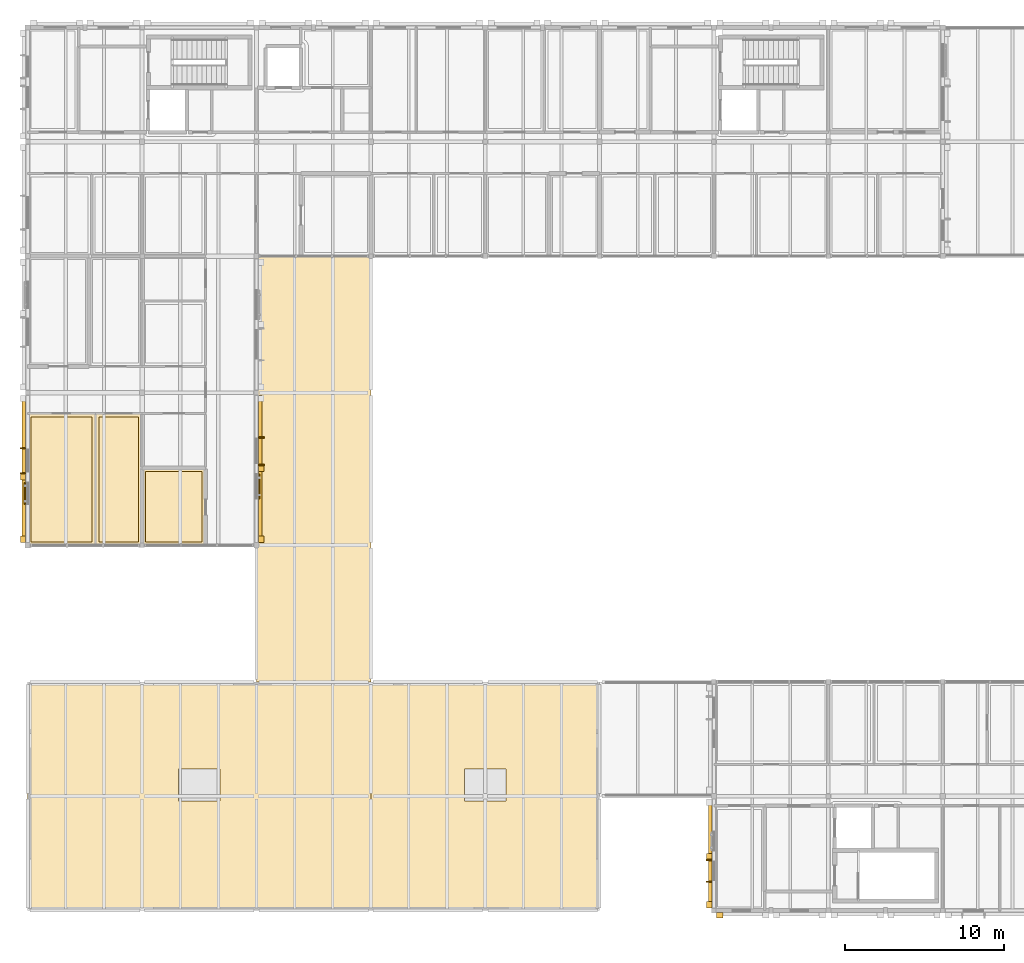
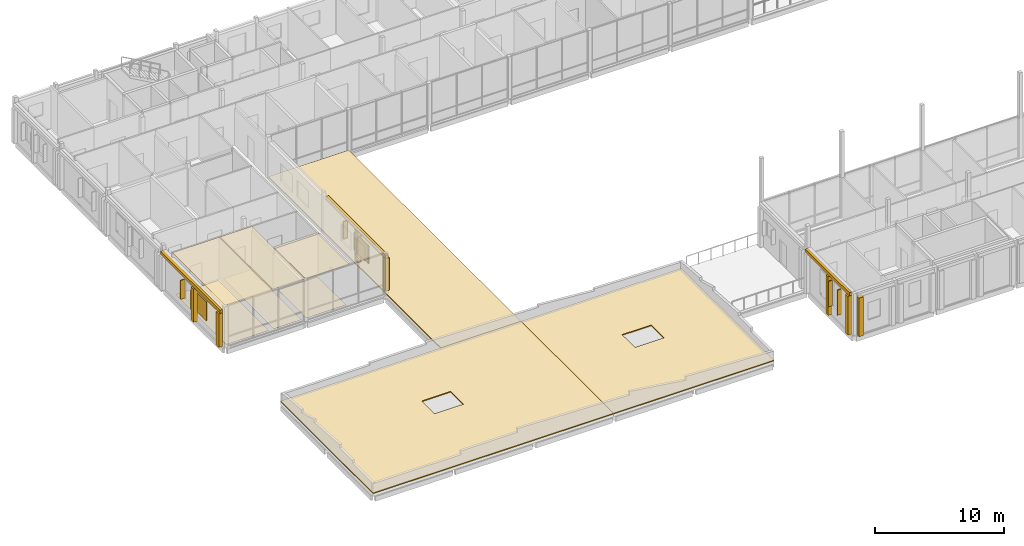
# One storey, part 50 of 57: 19 coverings, 8 shading devices.
"""IFC4 building model written with IfcOpenShell, lengths in metres."""

from ifc_helpers import new_model, si_unit, direction, frame, origin, origin_2d, place, context, subcontext, project, spatial, polyline, rectangle, outline, extrude, material, layer, layer_set, type_object, element, save


model = new_model("IFC4")

# Units and contexts
model_context = context("Model", 3, precision=1e-05, world=origin(), true_north=direction((0.0, 1.0)))
body_context = subcontext(model_context, "Body", "Model", "MODEL_VIEW")
ifc_project = project(units=[si_unit("LENGTHUNIT", "METRE"), si_unit("AREAUNIT", "SQUARE_METRE"), si_unit("VOLUMEUNIT", "CUBIC_METRE"), si_unit("PLANEANGLEUNIT", "RADIAN"), si_unit("MASSUNIT", "GRAM", prefix="KILO")], contexts=[model_context])

# Site, building, storey
site_placement = place(None, origin())
site = spatial("IfcSite", under=ifc_project, at=site_placement, CompositionType="ELEMENT")
building_placement = place(site_placement, origin())
building = spatial("IfcBuilding", under=site, at=building_placement, Name="Hawrajan Terrace Health Centre", CompositionType="ELEMENT")
storey_placement = place(building_placement, frame((0.0, 0.0, 13.199951171875)))
storey = spatial("IfcBuildingStorey", under=building, at=storey_placement, Name="L03", CompositionType="ELEMENT", Elevation=13.199951171875)

# Coverings
ifc_material_1 = material(Name="Precast concrete C40/50", Category="concrete")
ifc_layer_1 = layer(ifc_material_1, 0.219970703125)
ifc_layer_set_1 = layer_set([ifc_layer_1], Name="Precast concrete C40/50")
covering_type_1 = type_object("IfcCoveringType", Name="ArtDecoCorniceBand", PredefinedType="CLADDING", material=ifc_layer_set_1)
for number, where, z_axis, x_axis, name in (
    (1, (4.364990234375, 32.010009765625, 3.18017578125), (0.0, 0.0, 1.0), (0.0, 1.0, 0.0), "Art Deco limestone cornice band CRN-L03-0154"),
    (2, (19.235107421875, 32.010009765625, 3.18017578125), (0.0, 0.0, 1.0), (0.0, 1.0, 0.0), "Art Deco limestone cornice band CRN-L03-0160"),
):
    element("IfcCovering", number, at=place(storey_placement, frame(where, z_axis=z_axis, x_axis=x_axis)), inside=storey, type_object=covering_type_1, Name=name, PredefinedType="CLADDING", context=body_context, shape_type="SweptSolid", body=[
        extrude(rectangle(XDim=9.260009765625, YDim=0.219970703125, at=origin_2d()), origin(), (0.0, 0.0, 1.0), 0.300048828125),
    ])
covering_1_placement = place(storey_placement, frame((47.56494140625, 7.7900390625, 3.68994140625), z_axis=(0.0, 0.0, 1.0), x_axis=(0.0, 1.0, 0.0)))
element("IfcCovering", 3, at=covering_1_placement, inside=storey, type_object=covering_type_1, Name="Art Deco limestone cornice band CRN-L03-0171", PredefinedType="CLADDING", context=body_context, shape_type="SweptSolid", body=[
    extrude(rectangle(XDim=6.860107421875, YDim=0.219970703125, at=origin_2d()), origin(), (0.0, 0.0, 1.0), 0.300048828125),
])
ifc_layer_2 = layer(ifc_material_1, 0.340087890625)
ifc_layer_set_2 = layer_set([ifc_layer_2], Name="Precast concrete C40/50")
covering_type_2 = type_object("IfcCoveringType", Name="ArtDecoStonePilaster", PredefinedType="CLADDING", material=ifc_layer_set_2)
covering_2_placement = place(storey_placement, frame((4.304931640625, 27.580078125, 0.0), z_axis=(0.0, 0.0, 1.0), x_axis=(0.0, 1.0, 0.0)))
element("IfcCovering", 4, at=covering_2_placement, inside=storey, type_object=covering_type_2, Name="Art Deco fluted limestone pilaster FPIL-L03-0299", PredefinedType="CLADDING", context=body_context, shape_type="SweptSolid", body=[
    extrude(rectangle(XDim=0.39990234375, YDim=0.340087890625, at=origin_2d()), origin(), (0.0, 0.0, 1.0), 3.169921875),
])
covering_3_placement = place(storey_placement, frame((4.304931640625, 31.489990234375, 0.0), z_axis=(0.0, 0.0, 1.0), x_axis=(0.0, 1.0, 0.0)))
element("IfcCovering", 5, at=covering_3_placement, inside=storey, type_object=covering_type_2, Name="Art Deco mullion pilaster FPIL-L03-0301", PredefinedType="CLADDING", context=body_context, shape_type="SweptSolid", body=[
    extrude(rectangle(XDim=0.360107421875, YDim=0.340087890625, at=origin_2d()), origin(), (0.0, 0.0, 1.0), 3.169921875),
])
covering_4_placement = place(storey_placement, frame((19.294921875, 27.580078125, 0.0), z_axis=(0.0, 0.0, 1.0), x_axis=(0.0, 1.0, 0.0)))
element("IfcCovering", 6, at=covering_4_placement, inside=storey, type_object=covering_type_2, Name="Art Deco fluted limestone pilaster FPIL-L03-0314", PredefinedType="CLADDING", context=body_context, shape_type="SweptSolid", body=[
    extrude(rectangle(XDim=0.39990234375, YDim=0.340087890625, at=origin_2d()), origin(), (0.0, 0.0, 1.0), 3.169921875),
])
covering_5_placement = place(storey_placement, frame((19.294921875, 32.010009765625, 0.0), z_axis=(0.0, 0.0, 1.0), x_axis=(0.0, 1.0, 0.0)))
element("IfcCovering", 7, at=covering_5_placement, inside=storey, type_object=covering_type_2, Name="Art Deco mullion pilaster FPIL-L03-0316", PredefinedType="CLADDING", context=body_context, shape_type="SweptSolid", body=[
    extrude(rectangle(XDim=0.360107421875, YDim=0.340087890625, at=origin_2d()), origin(), (0.0, 0.0, 1.0), 3.169921875),
])
for number, where, z_axis, x_axis, name in (
    (8, (48.159912109375, 3.905029296875, 0.0), (0.0, 0.0, 1.0), (1.0, 0.0, 0.0), "Art Deco fluted limestone pilaster FPIL-L03-0334"),
    (9, (47.5048828125, 4.56005859375, 0.0), (0.0, 0.0, 1.0), (0.0, 1.0, 0.0), "Art Deco fluted limestone pilaster FPIL-L03-0338"),
):
    element("IfcCovering", number, at=place(storey_placement, frame(where, z_axis=z_axis, x_axis=x_axis)), inside=storey, type_object=covering_type_2, Name=name, PredefinedType="CLADDING", context=body_context, shape_type="SweptSolid", body=[
        extrude(rectangle(XDim=0.39990234375, YDim=0.340087890625, at=origin_2d()), origin(), (0.0, 0.0, 1.0), 3.679931640625),
    ])
covering_6_placement = place(storey_placement, frame((47.5048828125, 7.6298828125, 0.0), z_axis=(0.0, 0.0, 1.0), x_axis=(0.0, 1.0, 0.0)))
element("IfcCovering", 10, at=covering_6_placement, inside=storey, type_object=covering_type_2, Name="Art Deco mullion pilaster FPIL-L03-0340", PredefinedType="CLADDING", context=body_context, shape_type="SweptSolid", body=[
    extrude(rectangle(XDim=0.360107421875, YDim=0.340087890625, at=origin_2d()), origin(), (0.0, 0.0, 1.0), 3.679931640625),
])
ifc_material_2 = material(Name="Hygienic mineral-fibre acoustic tile ceiling")
ifc_layer_3 = layer(ifc_material_2, 0.02490234375)
ifc_layer_set_3 = layer_set([ifc_layer_3], Name="Hygienic mineral-fibre acoustic tile ceiling")
covering_type_3 = type_object("IfcCoveringType", Name="ClinicalAcousticCeiling_25", PredefinedType="CEILING", material=ifc_layer_set_3)
covering_7_placement = place(storey_placement, frame((0.0, 0.0, 3.905029296875)))
element("IfcCovering", 11, at=covering_7_placement, inside=storey, type_object=covering_type_3, Name="Suspended ceiling L03-028", PredefinedType="CEILING", context=body_context, shape_type="SweptSolid", body=[
    extrude(outline(polyline([(4.6201171875, 35.47998046875), (8.849609375, 35.47998046875), (8.849609375, 27.219970703125), (4.6201171875, 27.219970703125), (4.6201171875, 35.47998046875)])), origin(), (0.0, 0.0, 1.0), 0.02490234375),
])
covering_8_placement = place(storey_placement, frame((0.0, 0.0, 3.905029296875)))
element("IfcCovering", 12, at=covering_8_placement, inside=storey, type_object=covering_type_3, Name="Suspended ceiling L03-029", PredefinedType="CEILING", context=body_context, shape_type="SweptSolid", body=[
    extrude(outline(polyline([(8.8896484375, 35.47998046875), (11.780029296875, 35.47998046875), (11.780029296875, 27.219970703125), (8.8896484375, 27.219970703125), (8.8896484375, 35.47998046875)])), origin(), (0.0, 0.0, 1.0), 0.02490234375),
])
covering_9_placement = place(storey_placement, frame((0.0, 0.0, 3.905029296875)))
element("IfcCovering", 13, at=covering_9_placement, inside=storey, type_object=covering_type_3, Name="Suspended ceiling L03-035", PredefinedType="CEILING", context=body_context, shape_type="SweptSolid", body=[
    extrude(outline(polyline([(11.820068359375, 32.035400390625), (15.780029296875, 32.035400390625), (15.780029296875, 27.219970703125), (11.820068359375, 27.219970703125), (11.820068359375, 32.035400390625)])), origin(), (0.0, 0.0, 1.0), 0.02490234375),
])
ifc_material_3 = material(Name="Seamless medical-grade cushioned vinyl flooring")
ifc_layer_4 = layer(ifc_material_3, 0.011962890625)
ifc_layer_set_4 = layer_set([ifc_layer_4], Name="Seamless medical-grade cushioned vinyl flooring")
covering_type_4 = type_object("IfcCoveringType", Name="ClinicalVinylFlooring_12", PredefinedType="FLOORING", material=ifc_layer_set_4)
covering_10_placement = place(storey_placement, origin())
element("IfcCovering", 14, at=covering_10_placement, inside=storey, type_object=covering_type_4, Name="Floor finish L03-028", PredefinedType="FLOORING", context=body_context, shape_type="SweptSolid", body=[
    extrude(outline(polyline([(4.820068359375, 35.280029296875), (8.649658203125, 35.280029296875), (8.649658203125, 27.419921875), (4.820068359375, 27.419921875), (4.820068359375, 35.280029296875)])), origin(), (0.0, 0.0, 1.0), 0.011962890625),
])
covering_11_placement = place(storey_placement, origin())
element("IfcCovering", 15, at=covering_11_placement, inside=storey, type_object=covering_type_4, Name="Floor finish L03-029", PredefinedType="FLOORING", context=body_context, shape_type="SweptSolid", body=[
    extrude(outline(polyline([(9.089599609375, 35.280029296875), (11.580078125, 35.280029296875), (11.580078125, 27.419921875), (9.089599609375, 27.419921875), (9.089599609375, 35.280029296875)])), origin(), (0.0, 0.0, 1.0), 0.011962890625),
])
covering_12_placement = place(storey_placement, origin())
element("IfcCovering", 16, at=covering_12_placement, inside=storey, type_object=covering_type_4, Name="Floor finish L03-035", PredefinedType="FLOORING", context=body_context, shape_type="SweptSolid", body=[
    extrude(outline(polyline([(12.02001953125, 31.83544921875), (15.580078125, 31.83544921875), (15.580078125, 27.419921875), (12.02001953125, 27.419921875), (12.02001953125, 31.83544921875)])), origin(), (0.0, 0.0, 1.0), 0.011962890625),
])
ifc_material_4 = material(Name="Reflective TPO cool-roof membrane and mineral wool")
ifc_layer_5 = layer(ifc_material_4, 0.094970703125)
ifc_layer_set_5 = layer_set([ifc_layer_5], Name="Reflective TPO cool-roof membrane and mineral wool")
covering_type_5 = type_object("IfcCoveringType", Name="CoolMembrane_Roofing", PredefinedType="ROOFING", material=ifc_layer_set_5)
covering_13_placement = place(storey_placement, origin())
element("IfcCovering", 17, at=covering_13_placement, inside=storey, type_object=covering_type_5, Name="Reflective cool-roof membrane RF-V4-L03-WEST", PredefinedType="ROOFING", context=body_context, shape_type="SweptSolid", body=[
    extrude(outline(polyline([(4.60009765625, 4.199951171875), (26.199951171875, 4.199951171875), (26.199951171875, 18.60009765625), (4.60009765625, 18.60009765625), (4.60009765625, 4.199951171875)]), holes=[polyline([(14.10009765625, 11.10009765625), (16.699951171875, 11.10009765625), (16.699951171875, 13.10009765625), (14.10009765625, 13.10009765625), (14.10009765625, 11.10009765625)])]), origin(), (0.0, 0.0, 1.0), 0.094970703125),
])
covering_14_placement = place(storey_placement, origin())
element("IfcCovering", 18, at=covering_14_placement, inside=storey, type_object=covering_type_5, Name="Reflective cool-roof membrane RF-V4-L03-EAST", PredefinedType="ROOFING", context=body_context, shape_type="SweptSolid", body=[
    extrude(outline(polyline([(26.199951171875, 4.199951171875), (40.60009765625, 4.199951171875), (40.60009765625, 18.60009765625), (26.199951171875, 18.60009765625), (26.199951171875, 4.199951171875)]), holes=[polyline([(32.10009765625, 11.10009765625), (34.699951171875, 11.10009765625), (34.699951171875, 13.10009765625), (32.10009765625, 13.10009765625), (32.10009765625, 11.10009765625)])]), origin(), (0.0, 0.0, 1.0), 0.094970703125),
])
covering_15_placement = place(storey_placement, origin())
element("IfcCovering", 19, at=covering_15_placement, inside=storey, type_object=covering_type_5, Name="Reflective cool-roof membrane RF-V2-L03-LINK", PredefinedType="ROOFING", context=body_context, shape_type="SweptSolid", body=[
    extrude(outline(polyline([(19.0, 18.60009765625), (26.199951171875, 18.60009765625), (26.199951171875, 45.39990234375), (19.0, 45.39990234375), (19.0, 18.60009765625)])), origin(), (0.0, 0.0, 1.0), 0.094970703125),
])

# Shading devices
ifc_material_5 = material(Name="Anodized bronze mashrabiya vertical solar fin")
ifc_layer_6 = layer(ifc_material_5, 0.080078125)
ifc_layer_set_6 = layer_set([ifc_layer_6], Name="Anodized bronze mashrabiya vertical solar fin")
shading_device_type_1 = type_object("IfcShadingDeviceType", Name="MashrabiyaVerticalFin", PredefinedType="USERDEFINED", material=ifc_layer_set_6)
for number, where, z_axis, x_axis, name in (
    (20, (4.294921875, 31.739990234375, 1.0), (0.0, 0.0, 1.0), (0.0, 1.0, 0.0), "Bronze mashrabiya solar fin FIN-L03-0203"),
    (21, (4.294921875, 33.300048828125, 1.0), (0.0, 0.0, 1.0), (0.0, 1.0, 0.0), "Bronze mashrabiya solar fin FIN-L03-0204"),
):
    element("IfcShadingDevice", number, at=place(storey_placement, frame(where, z_axis=z_axis, x_axis=x_axis)), inside=storey, type_object=shading_device_type_1, Name=name, ObjectType="SOLAR_FIN", PredefinedType="USERDEFINED", context=body_context, shape_type="SweptSolid", body=[
        extrude(rectangle(XDim=0.080078125, YDim=0.360107421875, at=origin_2d()), origin(), (0.0, 0.0, 1.0), 1.800048828125),
    ])
for number, where, z_axis, x_axis, name in (
    (22, (19.304931640625, 32.260009765625, 1.050048828125), (0.0, 0.0, 1.0), (0.0, 1.0, 0.0), "Bronze mashrabiya solar fin FIN-L03-0215"),
    (23, (19.304931640625, 33.97998046875, 1.050048828125), (0.0, 0.0, 1.0), (0.0, 1.0, 0.0), "Bronze mashrabiya solar fin FIN-L03-0216"),
):
    element("IfcShadingDevice", number, at=place(storey_placement, frame(where, z_axis=z_axis, x_axis=x_axis)), inside=storey, type_object=shading_device_type_1, Name=name, ObjectType="SOLAR_FIN", PredefinedType="USERDEFINED", context=body_context, shape_type="SweptSolid", body=[
        extrude(rectangle(XDim=0.080078125, YDim=0.360107421875, at=origin_2d()), origin(), (0.0, 0.0, 1.0), 1.64990234375),
    ])
for number, where, z_axis, x_axis, name in (
    (24, (47.4951171875, 6.02001953125, 0.900146484375), (0.0, 0.0, 1.0), (0.0, 1.0, 0.0), "Bronze mashrabiya solar fin FIN-L03-0220"),
    (25, (47.4951171875, 7.3798828125, 0.900146484375), (0.0, 0.0, 1.0), (0.0, 1.0, 0.0), "Bronze mashrabiya solar fin FIN-L03-0221"),
):
    element("IfcShadingDevice", number, at=place(storey_placement, frame(where, z_axis=z_axis, x_axis=x_axis)), inside=storey, type_object=shading_device_type_1, Name=name, ObjectType="SOLAR_FIN", PredefinedType="USERDEFINED", context=body_context, shape_type="SweptSolid", body=[
        extrude(rectangle(XDim=0.080078125, YDim=0.360107421875, at=origin_2d()), origin(), (0.0, 0.0, 1.0), 2.39990234375),
    ])
ifc_material_6 = material(Name="Anodized bronze and cedar roshan lattice")
ifc_layer_7 = layer(ifc_material_6, 0.080078125)
ifc_layer_set_7 = layer_set([ifc_layer_7], Name="Anodized bronze and cedar roshan lattice")
shading_device_type_2 = type_object("IfcShadingDeviceType", Name="RoshanScreen_BronzeCedar", PredefinedType="JALOUSIE", material=ifc_layer_set_7)
shading_device_1_placement = place(storey_placement, frame((4.429931640625, 30.4599609375, 1.0), z_axis=(0.0, 0.0, 1.0), x_axis=(0.0, 1.0, 0.0)))
element("IfcShadingDevice", 26, at=shading_device_1_placement, inside=storey, type_object=shading_device_type_2, Name="Hijazi roshan solar screen RSH-L03-202", PredefinedType="JALOUSIE", context=body_context, shape_type="SweptSolid", body=[
    extrude(rectangle(XDim=1.3798828125, YDim=0.080078125, at=origin_2d()), origin(), (0.0, 0.0, 1.0), 1.800048828125),
])
shading_device_2_placement = place(storey_placement, frame((19.169921875, 30.89990234375, 1.050048828125), z_axis=(0.0, 0.0, 1.0), x_axis=(0.0, 1.0, 0.0)))
element("IfcShadingDevice", 27, at=shading_device_2_placement, inside=storey, type_object=shading_device_type_2, Name="Hijazi roshan solar screen RSH-L03-214", PredefinedType="JALOUSIE", context=body_context, shape_type="SweptSolid", body=[
    extrude(rectangle(XDim=1.5400390625, YDim=0.080078125, at=origin_2d()), origin(), (0.0, 0.0, 1.0), 1.64990234375),
])

save(model, "model.ifc")
